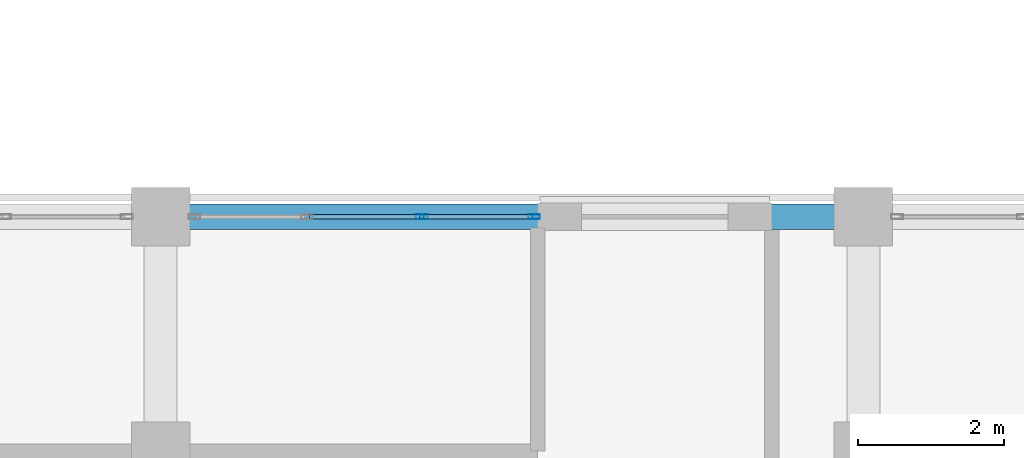
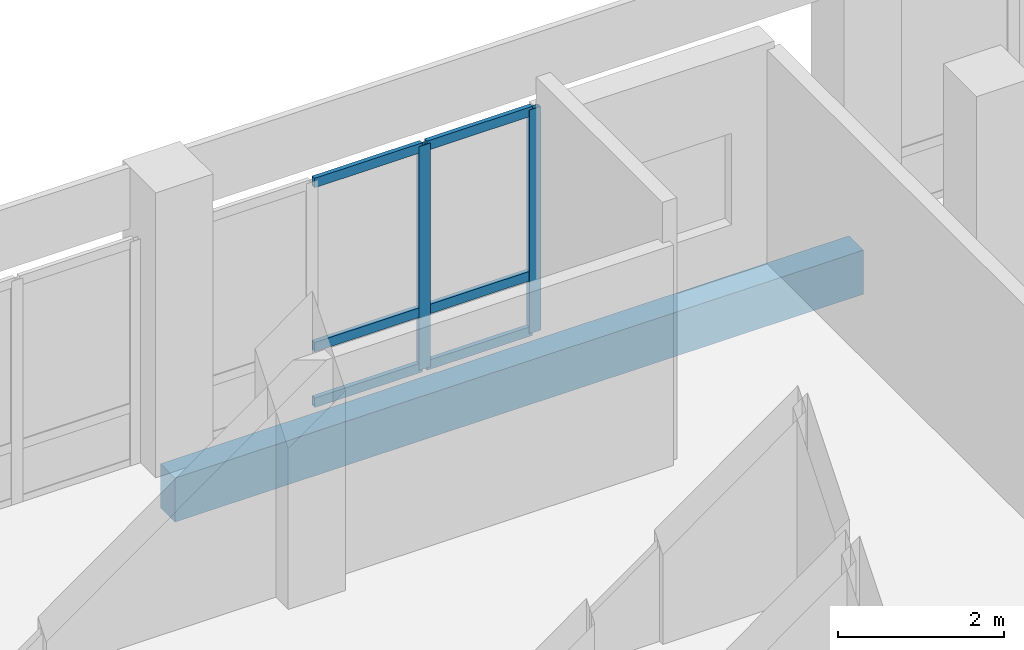
# One storey, part 90 of 170: 8 members, 1 beam, 1 element without a shape of its own.
"""IFC4 building model written with IfcOpenShell, lengths in metres."""

from ifc_helpers import new_model, si_unit, direction, frame, origin, origin_2d, place, context, subcontext, project, spatial, rectangle, hollow_rectangle, extrude, material, material_profile, profile_set, type_object, element, aggregate, save


model = new_model("IFC4")

# Units and contexts
model_context = context("Model", 3, precision=1e-05, world=origin(), true_north=direction((0.0, 1.0)))
body_context = subcontext(model_context, "Body", "Model", "MODEL_VIEW")
ifc_project = project(units=[si_unit("LENGTHUNIT", "METRE"), si_unit("AREAUNIT", "SQUARE_METRE"), si_unit("VOLUMEUNIT", "CUBIC_METRE"), si_unit("PLANEANGLEUNIT", "RADIAN"), si_unit("MASSUNIT", "GRAM", prefix="KILO")], contexts=[model_context])

# Site, building, storey
site_placement = place(None, origin())
site = spatial("IfcSite", under=ifc_project, at=site_placement, CompositionType="ELEMENT")
building_placement = place(site_placement, origin())
building = spatial("IfcBuilding", under=site, at=building_placement, Name="Vondelvale Polytechnic", CompositionType="ELEMENT")
storey_placement = place(building_placement, frame((0.0, 0.0, 5.39990234375)))
storey = spatial("IfcBuildingStorey", under=building, at=storey_placement, Name="L01", CompositionType="ELEMENT", Elevation=5.39990234375)

# Curtain wall, members
ifc_material_1 = material(Name="Anodised extruded aluminium 6063-T6", Category="aluminium")
curtain_wall_type = type_object("IfcCurtainWallType", Name="CW-STUDIO-NORTH", PredefinedType="NOTDEFINED", material=ifc_material_1)
curtain_wall_placement = place(storey_placement, origin())
curtain_wall = element("IfcCurtainWall", 1, at=curtain_wall_placement, inside=storey, type_object=curtain_wall_type, Name="L01 architectural curtain wall CW-01-061", PredefinedType="NOTDEFINED")
ifc_material_profile_1 = material_profile(ifc_material_1, hollow_rectangle(XDim=0.06494140625, YDim=0.159912109375, WallThickness=0.0048828125, at=origin_2d()), Name="CW-MUL-160x65")
ifc_profile_set_1 = profile_set([ifc_material_profile_1], Name="Anodised extruded aluminium 6063-T6")
member_type_1 = type_object("IfcMemberType", Name="CW-MUL-65x160", PredefinedType="MULLION", material=ifc_profile_set_1)
member_1_placement = place(storey_placement, frame((157.166748046875, 30.60009765625, 0.0), z_axis=(0.0, 0.0, 1.0), x_axis=(0.0, 1.0, 0.0)))
member_1 = element("IfcMember", 2, at=member_1_placement, type_object=member_type_1, Name="CW-01-061 mullion 3", PredefinedType="MULLION", context=body_context, shape_type="SweptSolid", body=[
    extrude(hollow_rectangle(XDim=0.06494140625, YDim=0.159912109375, WallThickness=0.0048828125, at=origin_2d()), origin(), (0.0, 0.0, 1.0), 3.300048828125),
])
member_2_placement = place(storey_placement, frame((158.702392578125, 30.60009765625, 0.0), z_axis=(0.0, 0.0, 1.0), x_axis=(0.0, 1.0, 0.0)))
member_2 = element("IfcMember", 3, at=member_2_placement, type_object=member_type_1, Name="CW-01-061 mullion 4", PredefinedType="MULLION", context=body_context, shape_type="SweptSolid", body=[
    extrude(hollow_rectangle(XDim=0.06494140625, YDim=0.159912109375, WallThickness=0.0048828125, at=origin_2d()), origin(), (0.0, 0.0, 1.0), 3.300048828125),
])
ifc_material_profile_2 = material_profile(ifc_material_1, hollow_rectangle(XDim=0.06005859375, YDim=0.139892578125, WallThickness=0.00341796875, at=origin_2d()), Name="CW-TRN-140x60")
ifc_profile_set_2 = profile_set([ifc_material_profile_2], Name="Anodised extruded aluminium 6063-T6")
member_type_2 = type_object("IfcMemberType", Name="CW-TRN-60x140", PredefinedType="USERDEFINED", material=ifc_profile_set_2)
member_3_placement = place(storey_placement, frame((155.630859375, 30.60009765625, 0.030029296875), z_axis=(1.0, 0.0, 0.0), x_axis=(0.0, 1.0, 0.0)))
member_3 = element("IfcMember", 4, at=member_3_placement, type_object=member_type_2, Name="CW-01-061 transom 2.1", ObjectType="TRANSOM", PredefinedType="USERDEFINED", context=body_context, shape_type="SweptSolid", body=[
    extrude(hollow_rectangle(XDim=0.06005859375, YDim=0.139892578125, WallThickness=0.00341796875, at=origin_2d()), origin(), (0.0, 0.0, 1.0), 1.50341796875),
])
member_4_placement = place(storey_placement, frame((155.630859375, 30.60009765625, 0.85009765625), z_axis=(1.0, 0.0, 0.0), x_axis=(0.0, 1.0, 0.0)))
member_4 = element("IfcMember", 5, at=member_4_placement, type_object=member_type_2, Name="CW-01-061 transom 2.2", ObjectType="TRANSOM", PredefinedType="USERDEFINED", context=body_context, shape_type="SweptSolid", body=[
    extrude(hollow_rectangle(XDim=0.06005859375, YDim=0.139892578125, WallThickness=0.00341796875, at=origin_2d()), origin(), (0.0, 0.0, 1.0), 1.50341796875),
])
member_5_placement = place(storey_placement, frame((155.630859375, 30.60009765625, 3.27001953125), z_axis=(1.0, 0.0, 0.0), x_axis=(0.0, 1.0, 0.0)))
member_5 = element("IfcMember", 6, at=member_5_placement, type_object=member_type_2, Name="CW-01-061 transom 2.3", ObjectType="TRANSOM", PredefinedType="USERDEFINED", context=body_context, shape_type="SweptSolid", body=[
    extrude(hollow_rectangle(XDim=0.06005859375, YDim=0.139892578125, WallThickness=0.00341796875, at=origin_2d()), origin(), (0.0, 0.0, 1.0), 1.50341796875),
])
member_6_placement = place(storey_placement, frame((157.19921875, 30.60009765625, 0.030029296875), z_axis=(1.0, 0.0, 0.0), x_axis=(0.0, 1.0, 0.0)))
member_6 = element("IfcMember", 7, at=member_6_placement, type_object=member_type_2, Name="CW-01-061 transom 3.1", ObjectType="TRANSOM", PredefinedType="USERDEFINED", context=body_context, shape_type="SweptSolid", body=[
    extrude(hollow_rectangle(XDim=0.06005859375, YDim=0.139892578125, WallThickness=0.00341796875, at=origin_2d()), origin(), (0.0, 0.0, 1.0), 1.470703125),
])
member_7_placement = place(storey_placement, frame((157.19921875, 30.60009765625, 0.85009765625), z_axis=(1.0, 0.0, 0.0), x_axis=(0.0, 1.0, 0.0)))
member_7 = element("IfcMember", 8, at=member_7_placement, type_object=member_type_2, Name="CW-01-061 transom 3.2", ObjectType="TRANSOM", PredefinedType="USERDEFINED", context=body_context, shape_type="SweptSolid", body=[
    extrude(hollow_rectangle(XDim=0.06005859375, YDim=0.139892578125, WallThickness=0.00341796875, at=origin_2d()), origin(), (0.0, 0.0, 1.0), 1.470703125),
])
member_8_placement = place(storey_placement, frame((157.19921875, 30.60009765625, 3.27001953125), z_axis=(1.0, 0.0, 0.0), x_axis=(0.0, 1.0, 0.0)))
member_8 = element("IfcMember", 9, at=member_8_placement, type_object=member_type_2, Name="CW-01-061 transom 3.3", ObjectType="TRANSOM", PredefinedType="USERDEFINED", context=body_context, shape_type="SweptSolid", body=[
    extrude(hollow_rectangle(XDim=0.06005859375, YDim=0.139892578125, WallThickness=0.00341796875, at=origin_2d()), origin(), (0.0, 0.0, 1.0), 1.470703125),
])
aggregate(curtain_wall, [member_1, member_2, member_3, member_4, member_5, member_6, member_7, member_8])

# Beam
ifc_material_2 = material(Name="Precast concrete N40 (f'c = 40 MPa)", Category="concrete")
ifc_material_profile_3 = material_profile(ifc_material_2, rectangle(XDim=0.35009765625, YDim=0.64990234375, at=origin_2d()), Name="RC-SPN-350x650")
ifc_profile_set_3 = profile_set([ifc_material_profile_3], Name="Precast concrete N40 (f'c = 40 MPa)")
beam_type = type_object("IfcBeamType", Name="SPN-PRE350x650", PredefinedType="SPANDREL", material=ifc_profile_set_3)
beam_placement = place(storey_placement, frame((153.60009765625, 30.60009765625, -0.60498046875), z_axis=(1.0, 0.0, 0.0), x_axis=(0.0, 1.0, 0.0)))
element("IfcBeam", 10, at=beam_placement, inside=storey, type_object=beam_type, Name="L01 B SP-02", PredefinedType="SPANDREL", context=body_context, shape_type="SweptSolid", body=[
    extrude(rectangle(XDim=0.35009765625, YDim=0.64990234375, at=origin_2d()), origin(), (0.0, 0.0, 1.0), 9.599853515625),
])

save(model, "model.ifc")
